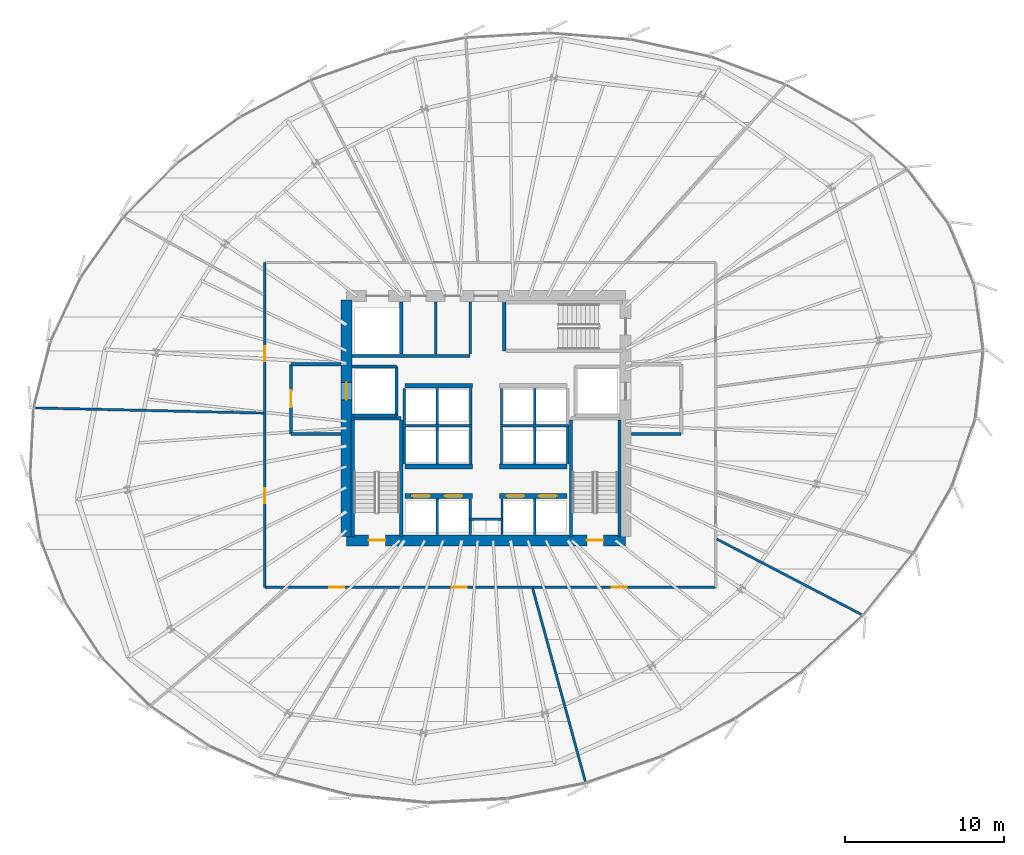
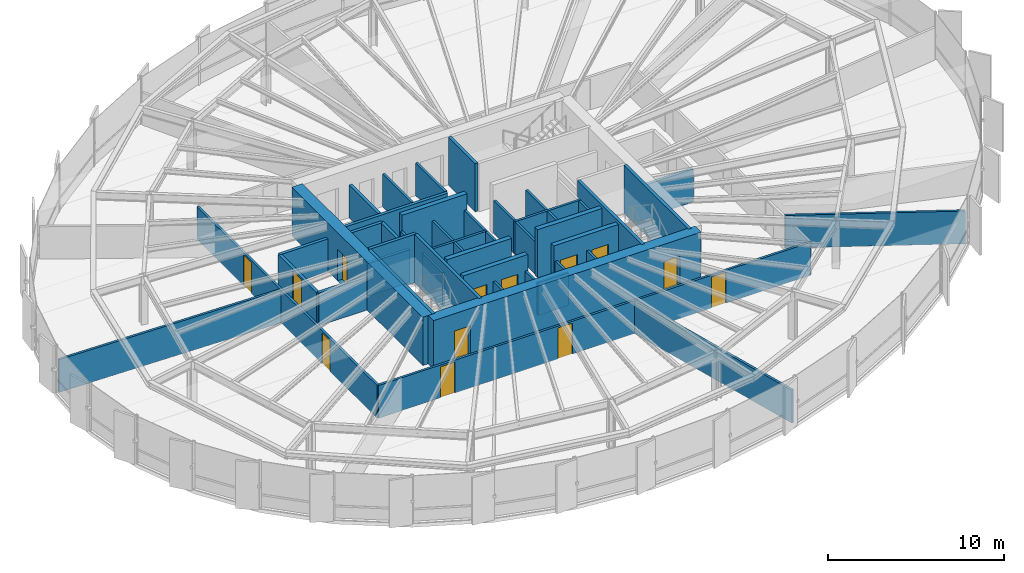
# One storey, part 28 of 35: 47 walls, 13 doors, 13 openings.
"""IFC4 building model written with IfcOpenShell, lengths in metres."""

from ifc_helpers import new_model, si_unit, direction, frame, frame_2d, origin, place, context, subcontext, project, spatial, rectangle, extrude, source, transform, mapped, material, layer, layer_set, type_object, element, fill, save


model = new_model("IFC4")

# Units and contexts
model_context = context("Model", 3, precision=1e-05, world=origin(), true_north=direction((0.0, 1.0)))
body_context = subcontext(model_context, "Body", "Model", "MODEL_VIEW")
ifc_project = project(units=[si_unit("LENGTHUNIT", "METRE"), si_unit("AREAUNIT", "SQUARE_METRE"), si_unit("VOLUMEUNIT", "CUBIC_METRE"), si_unit("PLANEANGLEUNIT", "RADIAN"), si_unit("MASSUNIT", "GRAM", prefix="KILO"), si_unit("THERMODYNAMICTEMPERATUREUNIT", "KELVIN")], contexts=[model_context])

# Site, building, storey
site_placement = place(None, origin())
site = spatial("IfcSite", under=ifc_project, at=site_placement, CompositionType="ELEMENT")
building_placement = place(site_placement, origin())
building = spatial("IfcBuilding", under=site, at=building_placement, Name="Kethvar Cultural Tower", CompositionType="ELEMENT")
storey_placement = place(building_placement, frame((0.0, 0.0, 96.39990234375)))
storey = spatial("IfcBuildingStorey", under=building, at=storey_placement, Name="L23", CompositionType="ELEMENT", Elevation=96.39990234375)

# Wall, openings, doors
ifc_material_1 = material(Name="Concrete C60/75", Category="concrete")
ifc_layer_1 = layer(ifc_material_1, 0.699951171875, Name="Concrete C60/75", Category="concrete")
ifc_layer_set_1 = layer_set([ifc_layer_1], Name="Concrete C60/75 (700 mm)")
wall_type_1 = type_object("IfcWallType", Name="WL-CORE-700", PredefinedType="SHEAR", material=ifc_layer_set_1)
wall_1_placement = place(storey_placement, frame((38.0, 20.10009765625, 0.0), z_axis=(0.0, 0.0, 1.0), x_axis=(1.0, 0.0, 0.0)))
wall_1 = element("IfcWall", 1, at=wall_1_placement, inside=storey, type_object=wall_type_1, Name="L23 Core Shear Wall S", PredefinedType="SHEAR", context=body_context, shape_type="SweptSolid", body=[
    extrude(rectangle(XDim=17.60009765625, YDim=0.699951171875, at=frame_2d((8.800048828125, 0.0))), origin(), (0.0, 0.0, 1.0), 3.35009765625),
])
opening_1_placement = place(wall_1_placement, frame((1.39990234375, 0.0, 0.0)))
opening_1 = element("IfcOpeningElement", 2, at=opening_1_placement, cuts=wall_1, Name="Opening D-L23-S1", PredefinedType="OPENING", context=body_context, shape_type="SweptSolid", body=[
    extrude(rectangle(XDim=1.050048828125, YDim=2.14990234375, at=frame_2d((0.52490234375, 1.074951171875))), frame((0.0, 0.35986328125, 0.0), z_axis=(0.0, -1.0, 0.0), x_axis=(1.0, 0.0, 0.0)), (0.0, 0.0, 1.0), 0.719970703125),
])
opening_2_placement = place(wall_1_placement, frame((15.14990234375, 0.0, 0.0)))
opening_2 = element("IfcOpeningElement", 3, at=opening_2_placement, cuts=wall_1, Name="Opening D-L23-ST2", PredefinedType="OPENING", context=body_context, shape_type="SweptSolid", body=[
    extrude(rectangle(XDim=1.050048828125, YDim=2.14990234375, at=frame_2d((0.52490234375, 1.074951171875))), frame((0.0, 0.35986328125, 0.0), z_axis=(0.0, -1.0, 0.0), x_axis=(1.0, 0.0, 0.0)), (0.0, 0.0, 1.0), 0.719970703125),
])
ifc_material_2 = material(Name="Steel S355J2", Category="steel")
door_type_1 = type_object("IfcDoorType", Name="DR-FD60-1050", OperationType="NOTDEFINED", PredefinedType="DOOR", material=ifc_material_2)
shared_shape_1 = source(origin(), body_context, "Body", "SweptSolid", [
    extrude(rectangle(XDim=1.050048828125, YDim=2.14990234375, at=frame_2d((0.52490234375, 1.074951171875))), frame((0.0, 0.02490234375, 0.0), z_axis=(0.0, -1.0, 0.0), x_axis=(1.0, 0.0, 0.0)), (0.0, 0.0, 1.0), 0.050048828125),
])
door_1_placement = place(opening_1_placement, origin())
door_1 = element("IfcDoor", 4, at=door_1_placement, inside=storey, type_object=door_type_1, Name="L23 Exit Stair 1 Door", OperationType="SINGLE_SWING_LEFT", OverallHeight=2.14990234375, OverallWidth=1.050048828125, PredefinedType="DOOR", context=body_context, shape_type="MappedRepresentation", body=[
    mapped(shared_shape_1, transform((0.0, 0.0, 0.0), scale=1.0)),
])
fill(opening_1, door_1)
door_2_placement = place(opening_2_placement, origin())
door_2 = element("IfcDoor", 5, at=door_2_placement, inside=storey, type_object=door_type_1, Name="L23 Exit Stair 2 Door", OperationType="SINGLE_SWING_RIGHT", OverallHeight=2.14990234375, OverallWidth=1.050048828125, PredefinedType="DOOR", context=body_context, shape_type="MappedRepresentation", body=[
    mapped(shared_shape_1, transform((0.0, 0.0, 0.0), scale=1.0)),
])
fill(opening_2, door_2)

# Wall, opening, door
wall_2_placement = place(storey_placement, frame((38.0, 35.260009765625, 0.0), z_axis=(0.0, 0.0, 1.0), x_axis=(0.0, -1.0, 0.0)))
wall_2 = element("IfcWall", 6, at=wall_2_placement, inside=storey, type_object=wall_type_1, Name="L23 Core Shear Wall W", PredefinedType="SHEAR", context=body_context, shape_type="SweptSolid", body=[
    extrude(rectangle(XDim=14.919921875, YDim=0.699951171875, at=frame_2d((7.4599609375, 0.0))), origin(), (0.0, 0.0, 1.0), 3.35009765625),
])
opening_3_placement = place(wall_2_placement, frame((5.2099609375, 0.0, 0.0)))
opening_3 = element("IfcOpeningElement", 7, at=opening_3_placement, cuts=wall_2, Name="Opening LD-1", PredefinedType="OPENING", context=body_context, shape_type="SweptSolid", body=[
    extrude(rectangle(XDim=1.10009765625, YDim=2.199951171875, at=frame_2d((0.550048828125, 1.10009765625))), frame((0.0, 0.35986328125, 0.0), z_axis=(0.0, -1.0, 0.0), x_axis=(1.0, 0.0, 0.0)), (0.0, 0.0, 1.0), 0.719970703125),
])
door_type_2 = type_object("IfcDoorType", Name="DR-LIFT-SLIDE-1100", OperationType="NOTDEFINED", PredefinedType="DOOR", material=ifc_material_2)
shared_shape_2 = source(origin(), body_context, "Body", "SweptSolid", [
    extrude(rectangle(XDim=1.10009765625, YDim=2.199951171875, at=frame_2d((0.550048828125, 1.10009765625))), frame((0.0, 0.02490234375, 0.0), z_axis=(0.0, -1.0, 0.0), x_axis=(1.0, 0.0, 0.0)), (0.0, 0.0, 1.0), 0.050048828125),
])
door_3_placement = place(opening_3_placement, origin())
door_3 = element("IfcDoor", 8, at=door_3_placement, inside=storey, type_object=door_type_2, Name="L23 Firefighting Lift Landing Door FFL-01", OperationType="SLIDING_TO_LEFT", OverallHeight=2.199951171875, OverallWidth=1.10009765625, PredefinedType="DOOR", context=body_context, shape_type="MappedRepresentation", body=[
    mapped(shared_shape_2, transform((0.0, 0.0, 0.0), scale=1.0)),
])
fill(opening_3, door_3)

# Walls
ifc_material_3 = material(Name="Gypsum Fireboard Partition")
ifc_layer_2 = layer(ifc_material_3, 0.14990234375, Name="Gypsum Fireboard Partition")
ifc_layer_set_2 = layer_set([ifc_layer_2], Name="Gypsum Fireboard Partition (150 mm)")
wall_type_2 = type_object("IfcWallType", Name="WL-FIRE-150", PredefinedType="PARTITIONING", material=ifc_layer_set_2)
wall_3_placement = place(storey_placement, frame((45.800048828125, 21.419921875, 0.0), z_axis=(0.0, 0.0, 1.0), x_axis=(1.0, 0.0, 0.0)))
element("IfcWall", 9, at=wall_3_placement, inside=storey, type_object=wall_type_2, Name="L23 Core Riser Wall", PredefinedType="PARTITIONING", context=body_context, shape_type="SweptSolid", body=[
    extrude(rectangle(XDim=2.0, YDim=0.14990234375, at=frame_2d((1.0, 0.0))), origin(), (0.0, 0.0, 1.0), 2.280029296875),
])
for number, where, z_axis, x_axis, name in (
    (10, (45.800048828125, 20.47998046875, 0.0), (0.0, 0.0, 1.0), (0.0, 1.0, 0.0), "L23 Core Riser West Wall"),
    (11, (47.800048828125, 20.47998046875, 0.0), (0.0, 0.0, 1.0), (0.0, 1.0, 0.0), "L23 Core Riser East Wall"),
):
    element("IfcWall", number, at=place(storey_placement, frame(where, z_axis=z_axis, x_axis=x_axis)), inside=storey, type_object=wall_type_2, Name=name, PredefinedType="PARTITIONING", context=body_context, shape_type="SweptSolid", body=[
        extrude(rectangle(XDim=2.239990234375, YDim=0.14990234375, at=frame_2d((1.1201171875, 0.0))), origin(), (0.0, 0.0, 1.0), 2.280029296875),
    ])
for number, where, z_axis, x_axis, name in (
    (12, (43.72509765625, 20.4599609375, 0.0), (0.0, 0.0, 1.0), (0.0, 1.0, 0.0), "L23 Low-Rise Lift Shaft Divider W"),
    (13, (49.875, 20.4599609375, 0.0), (0.0, 0.0, 1.0), (0.0, 1.0, 0.0), "L23 Low-Rise Lift Shaft Divider E"),
):
    element("IfcWall", number, at=place(storey_placement, frame(where, z_axis=z_axis, x_axis=x_axis)), inside=storey, type_object=wall_type_2, Name=name, PredefinedType="PARTITIONING", context=body_context, shape_type="SweptSolid", body=[
        extrude(rectangle(XDim=2.27001953125, YDim=0.14990234375, at=frame_2d((1.135009765625, 0.0))), origin(), (0.0, 0.0, 1.0), 2.280029296875),
    ])
wall_4_placement = place(storey_placement, frame((41.580078125, 27.324951171875, 0.0), z_axis=(0.0, 0.0, 1.0), x_axis=(1.0, 0.0, 0.0)))
element("IfcWall", 14, at=wall_4_placement, inside=storey, type_object=wall_type_2, Name="L23 Mid-High Lift Shaft Back Wall W", PredefinedType="PARTITIONING", context=body_context, shape_type="SweptSolid", body=[
    extrude(rectangle(XDim=4.31982421875, YDim=0.14990234375, at=frame_2d((2.159912109375, 0.0))), origin(), (0.0, 0.0, 1.0), 2.280029296875),
])
wall_5_placement = place(storey_placement, frame((47.699951171875, 27.324951171875, 0.0), z_axis=(0.0, 0.0, 1.0), x_axis=(1.0, 0.0, 0.0)))
element("IfcWall", 15, at=wall_5_placement, inside=storey, type_object=wall_type_2, Name="L23 Mid-High Lift Shaft Back Wall E", PredefinedType="PARTITIONING", context=body_context, shape_type="SweptSolid", body=[
    extrude(rectangle(XDim=4.320068359375, YDim=0.14990234375, at=frame_2d((2.16015625, 0.0))), origin(), (0.0, 0.0, 1.0), 2.280029296875),
])
for number, where, z_axis, x_axis, name in (
    (16, (41.64990234375, 24.919921875, 0.0), (0.0, 0.0, 1.0), (0.0, 1.0, 0.0), "L23 Mid-Rise Lift Shaft Outer Wall W"),
    (17, (43.72509765625, 24.919921875, 0.0), (0.0, 0.0, 1.0), (0.0, 1.0, 0.0), "L23 Mid-Rise Lift Shaft Divider W"),
    (18, (45.824951171875, 24.919921875, 0.0), (0.0, 0.0, 1.0), (0.0, 1.0, 0.0), "L23 Mid-Rise Lift Shaft Concourse Wall W"),
    (19, (47.77490234375, 24.919921875, 0.0), (0.0, 0.0, 1.0), (0.0, 1.0, 0.0), "L23 Mid-Rise Lift Shaft Concourse Wall E"),
    (20, (49.875, 24.919921875, 0.0), (0.0, 0.0, 1.0), (0.0, 1.0, 0.0), "L23 Mid-Rise Lift Shaft Divider E"),
    (21, (51.949951171875, 24.919921875, 0.0), (0.0, 0.0, 1.0), (0.0, 1.0, 0.0), "L23 Mid-Rise Lift Shaft Outer Wall E"),
):
    element("IfcWall", number, at=place(storey_placement, frame(where, z_axis=z_axis, x_axis=x_axis)), inside=storey, type_object=wall_type_2, Name=name, PredefinedType="PARTITIONING", context=body_context, shape_type="SweptSolid", body=[
        extrude(rectangle(XDim=2.320068359375, YDim=0.14990234375, at=frame_2d((1.16015625, 0.0))), origin(), (0.0, 0.0, 1.0), 2.280029296875),
    ])
for number, where, z_axis, x_axis, name in (
    (22, (41.64990234375, 27.409912109375, 0.0), (0.0, 0.0, 1.0), (0.0, 1.0, 0.0), "L23 High-Rise Lift Shaft Outer Wall W"),
    (23, (43.72509765625, 27.409912109375, 0.0), (0.0, 0.0, 1.0), (0.0, 1.0, 0.0), "L23 High-Rise Lift Shaft Divider W"),
    (24, (45.824951171875, 27.409912109375, 0.0), (0.0, 0.0, 1.0), (0.0, 1.0, 0.0), "L23 High-Rise Lift Shaft Concourse Wall W"),
    (25, (47.77490234375, 27.409912109375, 0.0), (0.0, 0.0, 1.0), (0.0, 1.0, 0.0), "L23 High-Rise Lift Shaft Concourse Wall E"),
    (26, (49.875, 27.409912109375, 0.0), (0.0, 0.0, 1.0), (0.0, 1.0, 0.0), "L23 High-Rise Lift Shaft Divider E"),
):
    element("IfcWall", number, at=place(storey_placement, frame(where, z_axis=z_axis, x_axis=x_axis)), inside=storey, type_object=wall_type_2, Name=name, PredefinedType="PARTITIONING", context=body_context, shape_type="SweptSolid", body=[
        extrude(rectangle(XDim=2.27001953125, YDim=0.14990234375, at=frame_2d((1.135009765625, 0.0))), origin(), (0.0, 0.0, 1.0), 2.280029296875),
    ])
wall_6_placement = place(storey_placement, frame((45.800048828125, 31.85009765625, 0.0), z_axis=(0.0, 0.0, 1.0), x_axis=(0.0, 1.0, 0.0)))
element("IfcWall", 27, at=wall_6_placement, inside=storey, type_object=wall_type_2, Name="L23 Sanitary Spine Wall", PredefinedType="PARTITIONING", context=body_context, shape_type="SweptSolid", body=[
    extrude(rectangle(XDim=3.289794921875, YDim=0.14990234375, at=frame_2d((1.64501953125, 0.0))), origin(), (0.0, 0.0, 1.0), 2.280029296875),
])

# Wall, openings, doors
wall_7_placement = place(storey_placement, frame((32.85009765625, 17.139892578125, 0.0), z_axis=(0.0, 0.0, 1.0), x_axis=(1.0, 0.0, 0.0)))
wall_7 = element("IfcWall", 28, at=wall_7_placement, inside=storey, type_object=wall_type_2, Name="L23 Corridor Rated Wall S", PredefinedType="PARTITIONING", context=body_context, shape_type="SweptSolid", body=[
    extrude(rectangle(XDim=28.419921875, YDim=0.14990234375, at=frame_2d((14.2099609375, 0.0))), origin(), (0.0, 0.0, 1.0), 2.280029296875),
])
opening_4_placement = place(wall_7_placement, frame((4.064453125, 0.0, 0.0)))
opening_4 = element("IfcOpeningElement", 29, at=opening_4_placement, cuts=wall_7, Name="Opening D-L23-01", PredefinedType="OPENING", context=body_context, shape_type="SweptSolid", body=[
    extrude(rectangle(XDim=0.949951171875, YDim=2.14990234375, at=frame_2d((0.47509765625, 1.074951171875))), frame((0.0, 0.0849609375, 0.0), z_axis=(0.0, -1.0, 0.0), x_axis=(1.0, 0.0, 0.0)), (0.0, 0.0, 1.0), 0.169921875),
])
opening_5_placement = place(wall_7_placement, frame((11.79296875, 0.0, 0.0)))
opening_5 = element("IfcOpeningElement", 30, at=opening_5_placement, cuts=wall_7, Name="Opening D-L23-02", PredefinedType="OPENING", context=body_context, shape_type="SweptSolid", body=[
    extrude(rectangle(XDim=0.949951171875, YDim=2.14990234375, at=frame_2d((0.47509765625, 1.074951171875))), frame((0.0, 0.0849609375, 0.0), z_axis=(0.0, -1.0, 0.0), x_axis=(1.0, 0.0, 0.0)), (0.0, 0.0, 1.0), 0.169921875),
])
opening_6_placement = place(wall_7_placement, frame((21.878173828125, 0.0, 0.0)))
opening_6 = element("IfcOpeningElement", 31, at=opening_6_placement, cuts=wall_7, Name="Opening D-L23-03", PredefinedType="OPENING", context=body_context, shape_type="SweptSolid", body=[
    extrude(rectangle(XDim=0.949951171875, YDim=2.14990234375, at=frame_2d((0.47509765625, 1.074951171875))), frame((0.0, 0.0849609375, 0.0), z_axis=(0.0, -1.0, 0.0), x_axis=(1.0, 0.0, 0.0)), (0.0, 0.0, 1.0), 0.169921875),
])
ifc_material_4 = material(Name="Architectural Oak Timber", Category="wood")
door_type_3 = type_object("IfcDoorType", Name="DR-FD30-950", OperationType="NOTDEFINED", PredefinedType="DOOR", material=ifc_material_4)
shared_shape_3 = source(origin(), body_context, "Body", "SweptSolid", [
    extrude(rectangle(XDim=0.949951171875, YDim=2.14990234375, at=frame_2d((0.47509765625, 1.074951171875))), frame((0.0, 0.02490234375, 0.0), z_axis=(0.0, -1.0, 0.0), x_axis=(1.0, 0.0, 0.0)), (0.0, 0.0, 1.0), 0.050048828125),
])
door_4_placement = place(opening_4_placement, origin())
door_4 = element("IfcDoor", 32, at=door_4_placement, inside=storey, type_object=door_type_3, Name="L23 Fellows' Study Workspace 01 Door", OperationType="SINGLE_SWING_RIGHT", OverallHeight=2.14990234375, OverallWidth=0.949951171875, PredefinedType="DOOR", context=body_context, shape_type="MappedRepresentation", body=[
    mapped(shared_shape_3, transform((0.0, 0.0, 0.0), scale=1.0)),
])
fill(opening_4, door_4)
door_5_placement = place(opening_5_placement, origin())
door_5 = element("IfcDoor", 33, at=door_5_placement, inside=storey, type_object=door_type_3, Name="L23 Cataloguing Administration Office 02 Door", OperationType="SINGLE_SWING_LEFT", OverallHeight=2.14990234375, OverallWidth=0.949951171875, PredefinedType="DOOR", context=body_context, shape_type="MappedRepresentation", body=[
    mapped(shared_shape_3, transform((0.0, 0.0, 0.0), scale=1.0)),
])
fill(opening_5, door_5)
door_6_placement = place(opening_6_placement, origin())
door_6 = element("IfcDoor", 34, at=door_6_placement, inside=storey, type_object=door_type_3, Name="L23 Conservation Design Workspace 03 Door", OperationType="SINGLE_SWING_RIGHT", OverallHeight=2.14990234375, OverallWidth=0.949951171875, PredefinedType="DOOR", context=body_context, shape_type="MappedRepresentation", body=[
    mapped(shared_shape_3, transform((0.0, 0.0, 0.0), scale=1.0)),
])
fill(opening_6, door_6)

wall_8_placement = place(storey_placement, frame((32.85009765625, 37.6201171875, 0.0), z_axis=(0.0, 0.0, 1.0), x_axis=(0.0, -1.0, 0.0)))
wall_8 = element("IfcWall", 35, at=wall_8_placement, inside=storey, type_object=wall_type_2, Name="L23 Corridor Rated Wall W", PredefinedType="PARTITIONING", context=body_context, shape_type="SweptSolid", body=[
    extrude(rectangle(XDim=20.480224609375, YDim=0.14990234375, at=frame_2d((10.240234375, 0.0))), origin(), (0.0, 0.0, 1.0), 2.280029296875),
])
opening_7_placement = place(wall_8_placement, frame((5.293212890625, 0.0, 0.0)))
opening_7 = element("IfcOpeningElement", 36, at=opening_7_placement, cuts=wall_8, Name="Opening D-L23-11", PredefinedType="OPENING", context=body_context, shape_type="SweptSolid", body=[
    extrude(rectangle(XDim=0.949951171875, YDim=2.14990234375, at=frame_2d((0.47509765625, 1.074951171875))), frame((0.0, 0.0849609375, 0.0), z_axis=(0.0, -1.0, 0.0), x_axis=(1.0, 0.0, 0.0)), (0.0, 0.0, 1.0), 0.169921875),
])
opening_8_placement = place(wall_8_placement, frame((14.22509765625, 0.0, 0.0)))
opening_8 = element("IfcOpeningElement", 37, at=opening_8_placement, cuts=wall_8, Name="Opening D-L23-12", PredefinedType="OPENING", context=body_context, shape_type="SweptSolid", body=[
    extrude(rectangle(XDim=0.949951171875, YDim=2.14990234375, at=frame_2d((0.47509765625, 1.074951171875))), frame((0.0, 0.0849609375, 0.0), z_axis=(0.0, -1.0, 0.0), x_axis=(1.0, 0.0, 0.0)), (0.0, 0.0, 1.0), 0.169921875),
])
door_7_placement = place(opening_7_placement, origin())
door_7 = element("IfcDoor", 38, at=door_7_placement, inside=storey, type_object=door_type_3, Name="L23 Prints Reading Library 11 Door", OperationType="SINGLE_SWING_RIGHT", OverallHeight=2.14990234375, OverallWidth=0.949951171875, PredefinedType="DOOR", context=body_context, shape_type="MappedRepresentation", body=[
    mapped(shared_shape_3, transform((0.0, 0.0, 0.0), scale=1.0)),
])
fill(opening_7, door_7)
door_8_placement = place(opening_8_placement, origin())
door_8 = element("IfcDoor", 39, at=door_8_placement, inside=storey, type_object=door_type_3, Name="L23 Operations Control Room 12 Door", OperationType="SINGLE_SWING_LEFT", OverallHeight=2.14990234375, OverallWidth=0.949951171875, PredefinedType="DOOR", context=body_context, shape_type="MappedRepresentation", body=[
    mapped(shared_shape_3, transform((0.0, 0.0, 0.0), scale=1.0)),
])
fill(opening_8, door_8)

# Walls
ifc_material_5 = material(Name="Concrete C40/50", Category="concrete")
ifc_layer_3 = layer(ifc_material_5, 0.199951171875, Name="Concrete C40/50", Category="concrete")
ifc_layer_set_3 = layer_set([ifc_layer_3], Name="Concrete C40/50 (200 mm)")
wall_type_3 = type_object("IfcWallType", Name="WL-FIRE-200", PredefinedType="PARTITIONING", material=ifc_layer_set_3)
wall_9_placement = place(storey_placement, frame((41.14990234375, 27.949951171875, 0.0), z_axis=(0.0, 0.0, 1.0), x_axis=(0.0, 1.0, 0.0)))
element("IfcWall", 40, at=wall_9_placement, inside=storey, type_object=wall_type_3, Name="L23 FFL-01 Shaft Inner Wall", PredefinedType="PARTITIONING", context=body_context, shape_type="SweptSolid", body=[
    extrude(rectangle(XDim=3.10009765625, YDim=0.199951171875, at=frame_2d((1.550048828125, 0.0))), origin(), (0.0, 0.0, 1.0), 2.280029296875),
])
for number, where, z_axis, x_axis, name in (
    (41, (38.360107421875, 27.949951171875, 0.0), (0.0, 0.0, 1.0), (1.0, 0.0, 0.0), "L23 FFL-01 Shaft South Wall"),
    (42, (38.360107421875, 31.050048828125, 0.0), (0.0, 0.0, 1.0), (1.0, 0.0, 0.0), "L23 FFL-01 Shaft North Wall"),
):
    element("IfcWall", number, at=place(storey_placement, frame(where, z_axis=z_axis, x_axis=x_axis)), inside=storey, type_object=wall_type_3, Name=name, PredefinedType="PARTITIONING", context=body_context, shape_type="SweptSolid", body=[
        extrude(rectangle(XDim=2.789794921875, YDim=0.199951171875, at=frame_2d((1.39501953125, 0.0))), origin(), (0.0, 0.0, 1.0), 2.280029296875),
    ])

# Wall, opening, door
wall_10_placement = place(storey_placement, frame((34.5, 31.199951171875, 0.0), z_axis=(0.0, 0.0, 1.0), x_axis=(0.0, -1.0, 0.0)))
wall_10 = element("IfcWall", 43, at=wall_10_placement, inside=storey, type_object=wall_type_3, Name="L23 Firefighting Lobby 1 Wall", PredefinedType="PARTITIONING", context=body_context, shape_type="SweptSolid", body=[
    extrude(rectangle(XDim=4.39990234375, YDim=0.199951171875, at=frame_2d((2.199951171875, 0.0))), origin(), (0.0, 0.0, 1.0), 2.280029296875),
])
opening_9_placement = place(wall_10_placement, frame((1.64990234375, 0.0, 0.0)))
opening_9 = element("IfcOpeningElement", 44, at=opening_9_placement, cuts=wall_10, Name="Opening D-L23-F1", PredefinedType="OPENING", context=body_context, shape_type="SweptSolid", body=[
    extrude(rectangle(XDim=1.050048828125, YDim=2.14990234375, at=frame_2d((0.52490234375, 1.074951171875))), frame((0.0, 0.10986328125, 0.0), z_axis=(0.0, -1.0, 0.0), x_axis=(1.0, 0.0, 0.0)), (0.0, 0.0, 1.0), 0.219970703125),
])
door_9_placement = place(opening_9_placement, origin())
door_9 = element("IfcDoor", 45, at=door_9_placement, inside=storey, type_object=door_type_1, Name="L23 Firefighting Lobby 1 Fire Door", OperationType="SINGLE_SWING_LEFT", OverallHeight=2.14990234375, OverallWidth=1.050048828125, PredefinedType="DOOR", context=body_context, shape_type="MappedRepresentation", body=[
    mapped(shared_shape_1, transform((0.0, 0.0, 0.0), scale=1.0)),
])
fill(opening_9, door_9)

# Walls
for number, where, z_axis, x_axis, name in (
    (46, (34.5, 26.800048828125, 0.0), (0.0, 0.0, 1.0), (1.0, 0.0, 0.0), "L23 FF Lobby 1 South Wall"),
    (47, (34.5, 31.199951171875, 0.0), (0.0, 0.0, 1.0), (1.0, 0.0, 0.0), "L23 FF Lobby 1 North Wall"),
):
    element("IfcWall", number, at=place(storey_placement, frame(where, z_axis=z_axis, x_axis=x_axis)), inside=storey, type_object=wall_type_3, Name=name, PredefinedType="PARTITIONING", context=body_context, shape_type="SweptSolid", body=[
        extrude(rectangle(XDim=3.139892578125, YDim=0.199951171875, at=frame_2d((1.56982421875, 0.0))), origin(), (0.0, 0.0, 1.0), 2.280029296875),
    ])
wall_11_placement = place(storey_placement, frame((55.9599609375, 26.800048828125, 0.0), z_axis=(0.0, 0.0, 1.0), x_axis=(1.0, 0.0, 0.0)))
element("IfcWall", 48, at=wall_11_placement, inside=storey, type_object=wall_type_3, Name="L23 FF Lobby 2 South Wall", PredefinedType="PARTITIONING", context=body_context, shape_type="SweptSolid", body=[
    extrude(rectangle(XDim=3.14013671875, YDim=0.199951171875, at=frame_2d((1.570068359375, 0.0))), origin(), (0.0, 0.0, 1.0), 2.280029296875),
])
wall_12_placement = place(storey_placement, frame((41.449951171875, 31.85009765625, 0.0), z_axis=(0.0, 0.0, 1.0), x_axis=(0.0, 1.0, 0.0)))
element("IfcWall", 49, at=wall_12_placement, inside=storey, type_object=wall_type_3, Name="L23 NW Core Pocket Wall", PredefinedType="PARTITIONING", context=body_context, shape_type="SweptSolid", body=[
    extrude(rectangle(XDim=3.289794921875, YDim=0.199951171875, at=frame_2d((1.64501953125, 0.0))), origin(), (0.0, 0.0, 1.0), 2.280029296875),
])
wall_13_placement = place(storey_placement, frame((38.360107421875, 31.72998046875, 0.0), z_axis=(0.0, 0.0, 1.0), x_axis=(1.0, 0.0, 0.0)))
element("IfcWall", 50, at=wall_13_placement, inside=storey, type_object=wall_type_3, Name="L23 North Core Sanitary South Wall", PredefinedType="PARTITIONING", context=body_context, shape_type="SweptSolid", body=[
    extrude(rectangle(XDim=7.43994140625, YDim=0.199951171875, at=frame_2d((3.719970703125, 0.0))), origin(), (0.0, 0.0, 1.0), 2.280029296875),
])
ifc_material_6 = material(Name="Gypsum Acoustic Partition")
ifc_layer_4 = layer(ifc_material_6, 0.14990234375, Name="Gypsum Acoustic Partition")
ifc_layer_set_4 = layer_set([ifc_layer_4], Name="Gypsum Acoustic Partition (150 mm)")
wall_type_4 = type_object("IfcWallType", Name="WL-PART-150", PredefinedType="PARTITIONING", material=ifc_layer_set_4)
wall_14_placement = place(storey_placement, frame((49.7373046875, 17.062744140625, 0.0), z_axis=(0.0, 0.0, 1.0), x_axis=(0.263260133771, -0.964724884082, 0.0)))
element("IfcWall", 51, at=wall_14_placement, inside=storey, type_object=wall_type_4, Name="L23 Radial Partition Wall 03", PredefinedType="PARTITIONING", context=body_context, shape_type="SweptSolid", body=[
    extrude(rectangle(XDim=12.591796875, YDim=0.14990234375, at=frame_2d((6.2958984375, 0.0))), origin(), (0.0, 0.0, 1.0), 2.280029296875),
])
wall_15_placement = place(storey_placement, frame((61.3408203125, 20.181396484375, 0.0), z_axis=(0.0, 0.0, 1.0), x_axis=(0.886775248426, -0.462200885741, 0.0)))
element("IfcWall", 52, at=wall_15_placement, inside=storey, type_object=wall_type_4, Name="L23 Radial Partition Wall 04", PredefinedType="PARTITIONING", context=body_context, shape_type="SweptSolid", body=[
    extrude(rectangle(XDim=10.284423828125, YDim=0.14990234375, at=frame_2d((5.14208984375, 0.0))), origin(), (0.0, 0.0, 1.0), 2.280029296875),
])
wall_16_placement = place(storey_placement, frame((32.77001953125, 28.121826171875, 0.0), z_axis=(0.0, 0.0, 1.0), x_axis=(-0.999741844305, 0.022721019901, 0.0)))
element("IfcWall", 53, at=wall_16_placement, inside=storey, type_object=wall_type_4, Name="L23 Radial Partition Wall 12", PredefinedType="PARTITIONING", context=body_context, shape_type="SweptSolid", body=[
    extrude(rectangle(XDim=14.3876953125, YDim=0.14990234375, at=frame_2d((7.19384765625, 0.0))), origin(), (0.0, 0.0, 1.0), 2.280029296875),
])
ifc_material_7 = material(Name="Moisture-Resistant Sanitary Chase Wall")
ifc_layer_5 = layer(ifc_material_7, 0.14990234375, Name="Moisture-Resistant Sanitary Chase Wall")
ifc_layer_set_5 = layer_set([ifc_layer_5], Name="Moisture-Resistant Sanitary Chase Wall (150 mm)")
wall_type_5 = type_object("IfcWallType", Name="WL-PLUMB-150", PredefinedType="PLUMBINGWALL", material=ifc_layer_set_5)
wall_17_placement = place(storey_placement, frame((43.6201171875, 31.85009765625, 0.0), z_axis=(0.0, 0.0, 1.0), x_axis=(0.0, 1.0, 0.0)))
element("IfcWall", 54, at=wall_17_placement, inside=storey, type_object=wall_type_5, Name="L23 Sanitary Plumbing Wall", PredefinedType="PLUMBINGWALL", context=body_context, shape_type="SweptSolid", body=[
    extrude(rectangle(XDim=3.289794921875, YDim=0.14990234375, at=frame_2d((1.64501953125, 0.0))), origin(), (0.0, 0.0, 1.0), 2.280029296875),
])

# Wall, openings, doors
ifc_material_8 = material(Name="Concrete C50/60", Category="concrete")
ifc_layer_6 = layer(ifc_material_8, 0.300048828125, Name="Concrete C50/60", Category="concrete")
ifc_layer_set_6 = layer_set([ifc_layer_6], Name="Concrete C50/60 (300 mm)")
wall_type_6 = type_object("IfcWallType", Name="WL-SHAFT-300", PredefinedType="SHEAR", material=ifc_layer_set_6)
wall_18_placement = place(storey_placement, frame((41.699951171875, 22.89990234375, 0.0), z_axis=(0.0, 0.0, 1.0), x_axis=(1.0, 0.0, 0.0)))
wall_18 = element("IfcWall", 55, at=wall_18_placement, inside=storey, type_object=wall_type_6, Name="L23 Core Lift Spine Wall MID1W", PredefinedType="SHEAR", context=body_context, shape_type="SweptSolid", body=[
    extrude(rectangle(XDim=4.25, YDim=0.300048828125, at=frame_2d((2.125, 0.0))), origin(), (0.0, 0.0, 1.0), 3.35009765625),
])
opening_10_placement = place(wall_18_placement, frame((0.449951171875, 0.0, 0.0)))
opening_10 = element("IfcOpeningElement", 56, at=opening_10_placement, cuts=wall_18, Name="Opening LD-L1", PredefinedType="OPENING", context=body_context, shape_type="SweptSolid", body=[
    extrude(rectangle(XDim=1.10009765625, YDim=2.199951171875, at=frame_2d((0.550048828125, 1.10009765625))), frame((0.0, 0.159912109375, 0.0), z_axis=(0.0, -1.0, 0.0), x_axis=(1.0, 0.0, 0.0)), (0.0, 0.0, 1.0), 0.320068359375),
])
opening_11_placement = place(wall_18_placement, frame((2.5, 0.0, 0.0)))
opening_11 = element("IfcOpeningElement", 57, at=opening_11_placement, cuts=wall_18, Name="Opening LD-L2", PredefinedType="OPENING", context=body_context, shape_type="SweptSolid", body=[
    extrude(rectangle(XDim=1.10009765625, YDim=2.199951171875, at=frame_2d((0.550048828125, 1.10009765625))), frame((0.0, 0.159912109375, 0.0), z_axis=(0.0, -1.0, 0.0), x_axis=(1.0, 0.0, 0.0)), (0.0, 0.0, 1.0), 0.320068359375),
])
door_10_placement = place(opening_10_placement, origin())
door_10 = element("IfcDoor", 58, at=door_10_placement, inside=storey, type_object=door_type_2, Name="L23 Low-Rise Lift Landing Door L1", OperationType="SLIDING_TO_LEFT", OverallHeight=2.199951171875, OverallWidth=1.10009765625, PredefinedType="DOOR", context=body_context, shape_type="MappedRepresentation", body=[
    mapped(shared_shape_2, transform((0.0, 0.0, 0.0), scale=1.0)),
])
fill(opening_10, door_10)
door_11_placement = place(opening_11_placement, origin())
door_11 = element("IfcDoor", 59, at=door_11_placement, inside=storey, type_object=door_type_2, Name="L23 Low-Rise Lift Landing Door L2", OperationType="SLIDING_TO_LEFT", OverallHeight=2.199951171875, OverallWidth=1.10009765625, PredefinedType="DOOR", context=body_context, shape_type="MappedRepresentation", body=[
    mapped(shared_shape_2, transform((0.0, 0.0, 0.0), scale=1.0)),
])
fill(opening_11, door_11)

wall_19_placement = place(storey_placement, frame((47.64990234375, 22.89990234375, 0.0), z_axis=(0.0, 0.0, 1.0), x_axis=(1.0, 0.0, 0.0)))
wall_19 = element("IfcWall", 60, at=wall_19_placement, inside=storey, type_object=wall_type_6, Name="L23 Core Lift Spine Wall MID1E", PredefinedType="SHEAR", context=body_context, shape_type="SweptSolid", body=[
    extrude(rectangle(XDim=4.25, YDim=0.300048828125, at=frame_2d((2.125, 0.0))), origin(), (0.0, 0.0, 1.0), 3.35009765625),
])
opening_12_placement = place(wall_19_placement, frame((0.449951171875, 0.0, 0.0)))
opening_12 = element("IfcOpeningElement", 61, at=opening_12_placement, cuts=wall_19, Name="Opening LD-L3", PredefinedType="OPENING", context=body_context, shape_type="SweptSolid", body=[
    extrude(rectangle(XDim=1.10009765625, YDim=2.199951171875, at=frame_2d((0.550048828125, 1.10009765625))), frame((0.0, 0.159912109375, 0.0), z_axis=(0.0, -1.0, 0.0), x_axis=(1.0, 0.0, 0.0)), (0.0, 0.0, 1.0), 0.320068359375),
])
opening_13_placement = place(wall_19_placement, frame((2.5, 0.0, 0.0)))
opening_13 = element("IfcOpeningElement", 62, at=opening_13_placement, cuts=wall_19, Name="Opening LD-L4", PredefinedType="OPENING", context=body_context, shape_type="SweptSolid", body=[
    extrude(rectangle(XDim=1.10009765625, YDim=2.199951171875, at=frame_2d((0.550048828125, 1.10009765625))), frame((0.0, 0.159912109375, 0.0), z_axis=(0.0, -1.0, 0.0), x_axis=(1.0, 0.0, 0.0)), (0.0, 0.0, 1.0), 0.320068359375),
])
door_12_placement = place(opening_12_placement, origin())
door_12 = element("IfcDoor", 63, at=door_12_placement, inside=storey, type_object=door_type_2, Name="L23 Low-Rise Lift Landing Door L3", OperationType="SLIDING_TO_LEFT", OverallHeight=2.199951171875, OverallWidth=1.10009765625, PredefinedType="DOOR", context=body_context, shape_type="MappedRepresentation", body=[
    mapped(shared_shape_2, transform((0.0, 0.0, 0.0), scale=1.0)),
])
fill(opening_12, door_12)
door_13_placement = place(opening_13_placement, origin())
door_13 = element("IfcDoor", 64, at=door_13_placement, inside=storey, type_object=door_type_2, Name="L23 Low-Rise Lift Landing Door L4", OperationType="SLIDING_TO_LEFT", OverallHeight=2.199951171875, OverallWidth=1.10009765625, PredefinedType="DOOR", context=body_context, shape_type="MappedRepresentation", body=[
    mapped(shared_shape_2, transform((0.0, 0.0, 0.0), scale=1.0)),
])
fill(opening_13, door_13)

# Walls
for number, where, z_axis, x_axis, name in (
    (65, (41.699951171875, 24.75, 0.0), (0.0, 0.0, 1.0), (1.0, 0.0, 0.0), "L23 Core Lift Spine Wall MID2W"),
    (66, (47.64990234375, 24.75, 0.0), (0.0, 0.0, 1.0), (1.0, 0.0, 0.0), "L23 Core Lift Spine Wall MID2E"),
    (67, (41.699951171875, 29.85009765625, 0.0), (0.0, 0.0, 1.0), (1.0, 0.0, 0.0), "L23 Core Lift Spine Wall MID3W"),
):
    element("IfcWall", number, at=place(storey_placement, frame(where, z_axis=z_axis, x_axis=x_axis)), inside=storey, type_object=wall_type_6, Name=name, PredefinedType="SHEAR", context=body_context, shape_type="SweptSolid", body=[
        extrude(rectangle(XDim=4.25, YDim=0.300048828125, at=frame_2d((2.125, 0.0))), origin(), (0.0, 0.0, 1.0), 3.35009765625),
    ])
ifc_layer_7 = layer(ifc_material_8, 0.199951171875, Name="Concrete C50/60", Category="concrete")
ifc_layer_set_7 = layer_set([ifc_layer_7], Name="Concrete C50/60 (200 mm)")
wall_type_7 = type_object("IfcWallType", Name="WL-STSHAFT-200", PredefinedType="SHEAR", material=ifc_layer_set_7)
wall_20_placement = place(storey_placement, frame((38.389892578125, 27.800048828125, 0.0), z_axis=(0.0, 0.0, 1.0), x_axis=(1.0, 0.0, 0.0)))
element("IfcWall", 68, at=wall_20_placement, inside=storey, type_object=wall_type_7, Name="L23 ST-01 Stair Shaft Wall FAR", PredefinedType="SHEAR", context=body_context, shape_type="SweptSolid", body=[
    extrude(rectangle(XDim=3.06005859375, YDim=0.199951171875, at=frame_2d((1.530029296875, 0.0))), origin(), (0.0, 0.0, 1.0), 3.35009765625),
])
for number, where, z_axis, x_axis, name in (
    (69, (41.449951171875, 27.699951171875, 0.0), (0.0, 0.0, 1.0), (0.0, -1.0, 0.0), "L23 ST-01 Stair Shaft Wall LEFT"),
    (70, (38.389892578125, 20.35009765625, 0.0), (0.0, 0.0, 1.0), (0.0, 1.0, 0.0), "L23 ST-01 Stair Shaft Wall RIGHT"),
    (71, (55.2099609375, 27.699951171875, 0.0), (0.0, 0.0, 1.0), (0.0, -1.0, 0.0), "L23 ST-02 Stair Shaft Wall LEFT"),
    (72, (52.14990234375, 20.35009765625, 0.0), (0.0, 0.0, 1.0), (0.0, 1.0, 0.0), "L23 ST-02 Stair Shaft Wall RIGHT"),
):
    element("IfcWall", number, at=place(storey_placement, frame(where, z_axis=z_axis, x_axis=x_axis)), inside=storey, type_object=wall_type_7, Name=name, PredefinedType="SHEAR", context=body_context, shape_type="SweptSolid", body=[
        extrude(rectangle(XDim=7.349853515625, YDim=0.199951171875, at=frame_2d((3.6748046875, 0.0))), origin(), (0.0, 0.0, 1.0), 3.35009765625),
    ])
wall_21_placement = place(storey_placement, frame((47.949951171875, 32.050048828125, 0.0), z_axis=(0.0, 0.0, 1.0), x_axis=(0.0, 1.0, 0.0)))
element("IfcWall", 73, at=wall_21_placement, inside=storey, type_object=wall_type_7, Name="L23 ST-03 Stair Shaft Wall FAR", PredefinedType="SHEAR", context=body_context, shape_type="SweptSolid", body=[
    extrude(rectangle(XDim=3.06005859375, YDim=0.199951171875, at=frame_2d((1.530029296875, 0.0))), origin(), (0.0, 0.0, 1.0), 3.35009765625),
])

save(model, "model.ifc")
